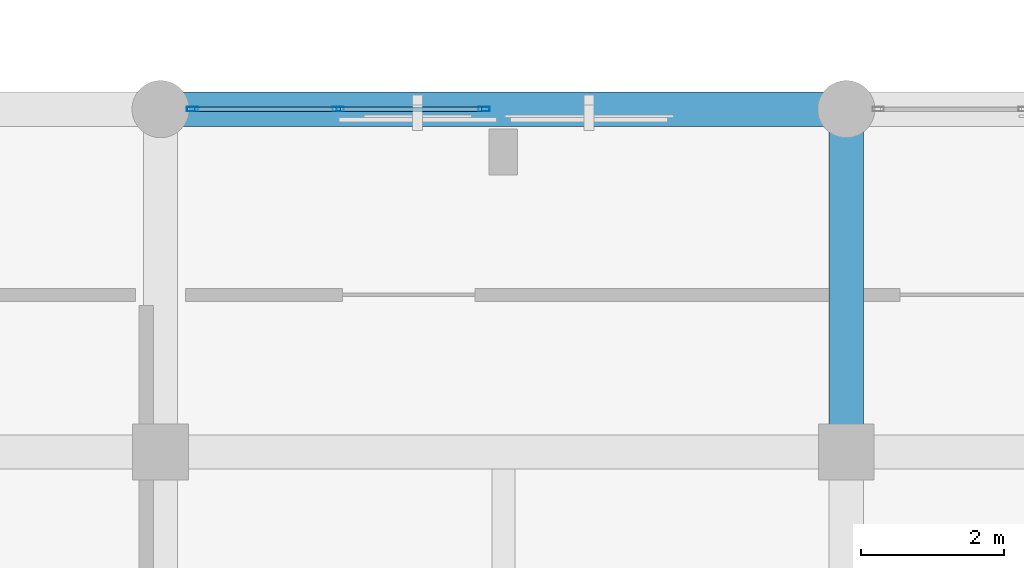
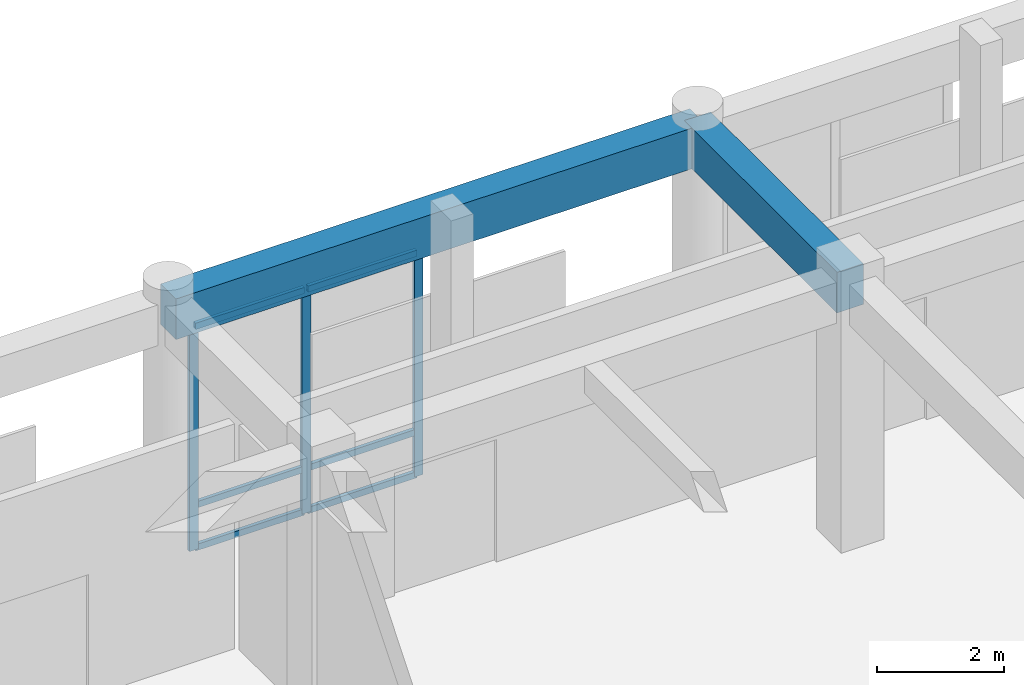
# One storey, part 31 of 134: 9 members, 2 beams, 1 element without a shape of its own.
"""IFC4 building model written with IfcOpenShell, lengths in metres."""

from ifc_helpers import new_model, si_unit, direction, frame, origin, origin_2d, place, context, subcontext, project, spatial, rectangle, hollow_rectangle, extrude, material, layer, layer_set, material_profile, profile_set, type_object, element, aggregate, save


model = new_model("IFC4")

# Units and contexts
model_context = context("Model", 3, precision=1e-05, world=origin(), true_north=direction((0.0, 1.0)))
body_context = subcontext(model_context, "Body", "Model", "MODEL_VIEW")
ifc_project = project(units=[si_unit("LENGTHUNIT", "METRE"), si_unit("AREAUNIT", "SQUARE_METRE"), si_unit("VOLUMEUNIT", "CUBIC_METRE"), si_unit("PLANEANGLEUNIT", "RADIAN"), si_unit("MASSUNIT", "GRAM", prefix="KILO")], contexts=[model_context])

# Site, building, storey
site_placement = place(None, origin())
site = spatial("IfcSite", under=ifc_project, at=site_placement, CompositionType="ELEMENT")
building_placement = place(site_placement, origin())
building = spatial("IfcBuilding", under=site, at=building_placement, Name="Nakhvara Creek Congress Hotel", CompositionType="ELEMENT")
storey_placement = place(building_placement, frame((0.0, 0.0, 6.0)))
storey = spatial("IfcBuildingStorey", under=building, at=storey_placement, Name="L01", CompositionType="ELEMENT", Elevation=6.0)

# Beams
ifc_material_1 = material(Name="Concrete C40/50", Category="concrete")
ifc_material_profile_1 = material_profile(ifc_material_1, rectangle(XDim=0.47998046875, YDim=0.780029296875, at=origin_2d()), Name="RC-BM 480x780", Category="LoadBearing")
ifc_profile_set_1 = profile_set([ifc_material_profile_1], Name="Concrete C40/50")
beam_type = type_object("IfcBeamType", Name="BM-RC-480X780", PredefinedType="BEAM", material=ifc_profile_set_1)
beam_1_placement = place(storey_placement, frame((96.0, 43.199951171875, 4.7099609375), z_axis=(1.0, 0.0, 0.0), x_axis=(0.0, 1.0, 0.0)))
element("IfcBeam", 1, at=beam_1_placement, inside=storey, type_object=beam_type, Name="Beam B13-L01-1184", PredefinedType="BEAM", context=body_context, shape_type="SweptSolid", body=[
    extrude(rectangle(XDim=0.47998046875, YDim=0.780029296875, at=origin_2d()), origin(), (0.0, 0.0, 1.0), 9.60009765625),
])
beam_2_placement = place(storey_placement, frame((105.60009765625, 38.39990234375, 4.7099609375), z_axis=(0.0, 1.0, 0.0), x_axis=(-1.0, 0.0, 0.0)))
element("IfcBeam", 2, at=beam_2_placement, inside=storey, type_object=beam_type, Name="Beam B13-L01-1195", PredefinedType="BEAM", context=body_context, shape_type="SweptSolid", body=[
    extrude(rectangle(XDim=0.47998046875, YDim=0.780029296875, at=origin_2d()), origin(), (0.0, 0.0, 1.0), 4.800048828125),
])

# Curtain wall, members
ifc_material_2 = material(Name="Bronze-anodised aluminium AW-6063-T6 and double-silver low-E glass", Category="aluminium")
ifc_layer = layer(ifc_material_2, 0.199951171875)
ifc_layer_set = layer_set([ifc_layer], Name="Bronze-anodised aluminium AW-6063-T6 and double-silver low-E glass")
curtain_wall_type = type_object("IfcCurtainWallType", Name="CW-POD-STICK", PredefinedType="NOTDEFINED", material=ifc_layer_set)
curtain_wall_placement = place(storey_placement, origin())
curtain_wall = element("IfcCurtainWall", 3, at=curtain_wall_placement, inside=storey, type_object=curtain_wall_type, Name="Curtain Wall CW021", PredefinedType="NOTDEFINED")
ifc_material_3 = material(Name="Bronze-anodised aluminium AW-6063-T6", Category="aluminium")
ifc_material_profile_2 = material_profile(ifc_material_3, hollow_rectangle(XDim=0.06494140625, YDim=0.159912109375, WallThickness=0.00390625, at=origin_2d()), Name="ALU-MULL 65x160x4", Category="LoadBearing")
ifc_profile_set_2 = profile_set([ifc_material_profile_2], Name="Bronze-anodised aluminium AW-6063-T6")
member_type_1 = type_object("IfcMemberType", Name="CW-MULL-160", PredefinedType="MULLION", material=ifc_profile_set_2)
member_1_placement = place(storey_placement, frame((96.447509765625, 43.199951171875, 0.0), z_axis=(0.0, 0.0, 1.0), x_axis=(0.0, 1.0, 0.0)))
member_1 = element("IfcMember", 4, at=member_1_placement, type_object=member_type_1, Name="CW021 mullion 1", PredefinedType="MULLION", context=body_context, shape_type="SweptSolid", body=[
    extrude(hollow_rectangle(XDim=0.06494140625, YDim=0.159912109375, WallThickness=0.00390625, at=origin_2d()), origin(), (0.0, 0.0, 1.0), 4.31201171875),
])
member_2_placement = place(storey_placement, frame((98.487548828125, 43.199951171875, 0.0), z_axis=(0.0, 0.0, 1.0), x_axis=(0.0, 1.0, 0.0)))
member_2 = element("IfcMember", 5, at=member_2_placement, type_object=member_type_1, Name="CW021 mullion 2", PredefinedType="MULLION", context=body_context, shape_type="SweptSolid", body=[
    extrude(hollow_rectangle(XDim=0.06494140625, YDim=0.159912109375, WallThickness=0.00390625, at=origin_2d()), origin(), (0.0, 0.0, 1.0), 4.31201171875),
])
member_3_placement = place(storey_placement, frame((100.527587890625, 43.199951171875, 0.0), z_axis=(0.0, 0.0, 1.0), x_axis=(0.0, 1.0, 0.0)))
member_3 = element("IfcMember", 6, at=member_3_placement, type_object=member_type_1, Name="CW021 mullion 3", PredefinedType="MULLION", context=body_context, shape_type="SweptSolid", body=[
    extrude(hollow_rectangle(XDim=0.06494140625, YDim=0.159912109375, WallThickness=0.00390625, at=origin_2d()), origin(), (0.0, 0.0, 1.0), 4.31201171875),
])
ifc_material_profile_3 = material_profile(ifc_material_3, hollow_rectangle(XDim=0.06494140625, YDim=0.1201171875, WallThickness=0.00390625, at=origin_2d()), Name="ALU-TRAN 65x120x4", Category="LoadBearing")
ifc_profile_set_3 = profile_set([ifc_material_profile_3], Name="Bronze-anodised aluminium AW-6063-T6")
member_type_2 = type_object("IfcMemberType", Name="CW-TRAN-120", PredefinedType="USERDEFINED", material=ifc_profile_set_3)
member_4_placement = place(storey_placement, frame((96.47998046875, 43.199951171875, 0.032470703125), z_axis=(1.0, 0.0, 0.0), x_axis=(0.0, 1.0, 0.0)))
member_4 = element("IfcMember", 7, at=member_4_placement, type_object=member_type_2, Name="CW021 transom 1.1", ObjectType="TRANSOM", PredefinedType="USERDEFINED", context=body_context, shape_type="SweptSolid", body=[
    extrude(hollow_rectangle(XDim=0.06494140625, YDim=0.1201171875, WallThickness=0.00390625, at=origin_2d()), origin(), (0.0, 0.0, 1.0), 1.97509765625),
])
member_5_placement = place(storey_placement, frame((96.47998046875, 43.199951171875, 0.85009765625), z_axis=(1.0, 0.0, 0.0), x_axis=(0.0, 1.0, 0.0)))
member_5 = element("IfcMember", 8, at=member_5_placement, type_object=member_type_2, Name="CW021 transom 1.2", ObjectType="TRANSOM", PredefinedType="USERDEFINED", context=body_context, shape_type="SweptSolid", body=[
    extrude(hollow_rectangle(XDim=0.06494140625, YDim=0.1201171875, WallThickness=0.00390625, at=origin_2d()), origin(), (0.0, 0.0, 1.0), 1.97509765625),
])
member_6_placement = place(storey_placement, frame((96.47998046875, 43.199951171875, 4.279541015625), z_axis=(1.0, 0.0, 0.0), x_axis=(0.0, 1.0, 0.0)))
member_6 = element("IfcMember", 9, at=member_6_placement, type_object=member_type_2, Name="CW021 transom 1.3", ObjectType="TRANSOM", PredefinedType="USERDEFINED", context=body_context, shape_type="SweptSolid", body=[
    extrude(hollow_rectangle(XDim=0.06494140625, YDim=0.1201171875, WallThickness=0.00390625, at=origin_2d()), origin(), (0.0, 0.0, 1.0), 1.97509765625),
])
member_7_placement = place(storey_placement, frame((98.52001953125, 43.199951171875, 0.032470703125), z_axis=(1.0, 0.0, 0.0), x_axis=(0.0, 1.0, 0.0)))
member_7 = element("IfcMember", 10, at=member_7_placement, type_object=member_type_2, Name="CW021 transom 2.1", ObjectType="TRANSOM", PredefinedType="USERDEFINED", context=body_context, shape_type="SweptSolid", body=[
    extrude(hollow_rectangle(XDim=0.06494140625, YDim=0.1201171875, WallThickness=0.00390625, at=origin_2d()), origin(), (0.0, 0.0, 1.0), 1.97509765625),
])
member_8_placement = place(storey_placement, frame((98.52001953125, 43.199951171875, 0.85009765625), z_axis=(1.0, 0.0, 0.0), x_axis=(0.0, 1.0, 0.0)))
member_8 = element("IfcMember", 11, at=member_8_placement, type_object=member_type_2, Name="CW021 transom 2.2", ObjectType="TRANSOM", PredefinedType="USERDEFINED", context=body_context, shape_type="SweptSolid", body=[
    extrude(hollow_rectangle(XDim=0.06494140625, YDim=0.1201171875, WallThickness=0.00390625, at=origin_2d()), origin(), (0.0, 0.0, 1.0), 1.97509765625),
])
member_9_placement = place(storey_placement, frame((98.52001953125, 43.199951171875, 4.279541015625), z_axis=(1.0, 0.0, 0.0), x_axis=(0.0, 1.0, 0.0)))
member_9 = element("IfcMember", 12, at=member_9_placement, type_object=member_type_2, Name="CW021 transom 2.3", ObjectType="TRANSOM", PredefinedType="USERDEFINED", context=body_context, shape_type="SweptSolid", body=[
    extrude(hollow_rectangle(XDim=0.06494140625, YDim=0.1201171875, WallThickness=0.00390625, at=origin_2d()), origin(), (0.0, 0.0, 1.0), 1.97509765625),
])
aggregate(curtain_wall, [member_1, member_2, member_3, member_4, member_5, member_6, member_7, member_8, member_9])

save(model, "model.ifc")
